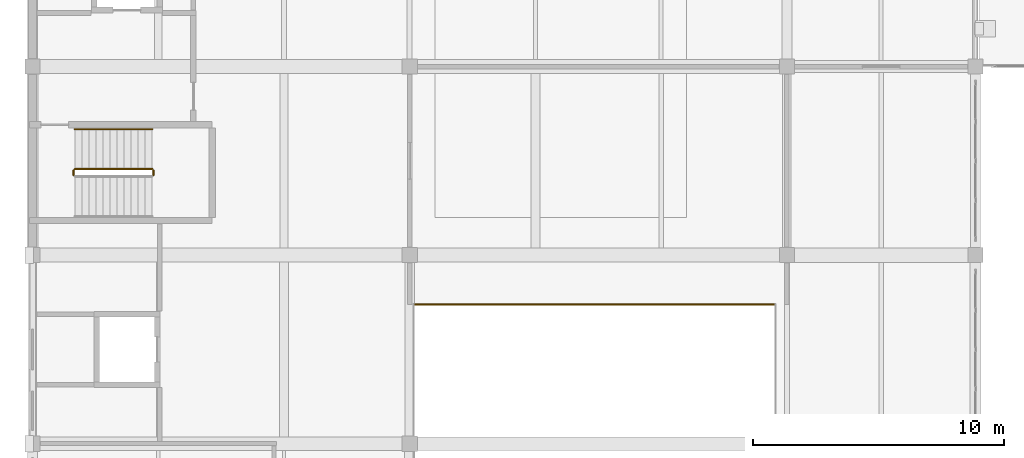
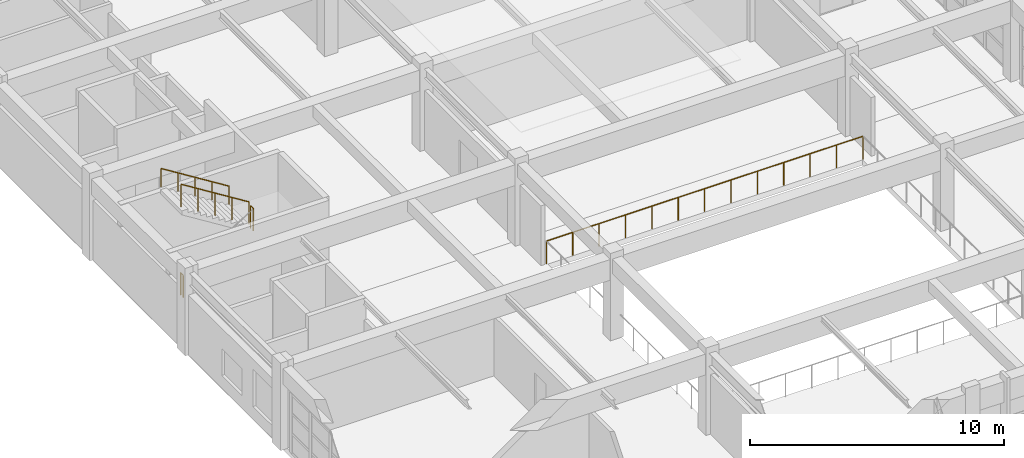
# One storey, part 109 of 124: 5 railings.
"""IFC4 building model written with IfcOpenShell, lengths in metres."""

from ifc_helpers import new_model, si_unit, direction, frame, origin, origin_2d, place, context, subcontext, project, spatial, circle, extrude, material, layer, layer_set, type_object, element, save


model = new_model("IFC4")

# Units and contexts
model_context = context("Model", 3, precision=1e-05, world=origin(), true_north=direction((0.0, 1.0)))
body_context = subcontext(model_context, "Body", "Model", "MODEL_VIEW")
ifc_project = project(units=[si_unit("LENGTHUNIT", "METRE"), si_unit("AREAUNIT", "SQUARE_METRE"), si_unit("VOLUMEUNIT", "CUBIC_METRE"), si_unit("PLANEANGLEUNIT", "RADIAN"), si_unit("MASSUNIT", "GRAM", prefix="KILO")], contexts=[model_context])

# Site, building, storey
site_placement = place(None, origin())
site = spatial("IfcSite", under=ifc_project, at=site_placement, CompositionType="ELEMENT")
building_placement = place(site_placement, origin())
building = spatial("IfcBuilding", under=site, at=building_placement, Name="Qasida Concert Hall", CompositionType="ELEMENT")
storey_placement = place(building_placement, frame((0.0, 0.0, 9.0)))
storey = spatial("IfcBuildingStorey", under=building, at=storey_placement, Name="L02", CompositionType="ELEMENT", Elevation=9.0)

# Railings
ifc_material_1 = material(Name="Carved Lebanese limestone and bronze top rail", Category="masonry")
ifc_layer_1 = layer(ifc_material_1, 0.10009765625, Name="Carved Lebanese limestone and bronze top rail")
ifc_layer_set_1 = layer_set([ifc_layer_1], Name="Carved Lebanese limestone and bronze top rail")
railing_type_1 = type_object("IfcRailingType", Name="RL-BAL-1100", PredefinedType="BALUSTRADE", material=ifc_layer_set_1)
railing_1_placement = place(storey_placement, frame((29.5400390625, 20.5400390625, 0.0)))
element("IfcRailing", 1, at=railing_1_placement, inside=storey, type_object=railing_type_1, Name="L02 Grand foyer atrium balustrade 0048", PredefinedType="BALUSTRADE", context=body_context, shape_type="SweptSolid", body=[
    extrude(circle(Radius=0.02392578125, at=origin_2d()), frame((0.0, 0.0, 1.09619140625), z_axis=(-1.0, 0.0, 0.0), x_axis=(0.0, -1.0, 0.0)), (0.0, 0.0, 1.0), 14.380126953125),
    extrude(circle(Radius=0.02099609375, at=origin_2d()), origin(), (0.0, 0.0, 1.0), 1.072021484375),
    extrude(circle(Radius=0.02099609375, at=origin_2d()), frame((-1.1982421875, 0.0, 0.0)), (0.0, 0.0, 1.0), 1.072021484375),
    extrude(circle(Radius=0.02099609375, at=origin_2d()), frame((-2.396728515625, 0.0, 0.0)), (0.0, 0.0, 1.0), 1.072021484375),
    extrude(circle(Radius=0.02099609375, at=origin_2d()), frame((-3.594970703125, 0.0, 0.0)), (0.0, 0.0, 1.0), 1.072021484375),
    extrude(circle(Radius=0.02099609375, at=origin_2d()), frame((-4.79345703125, 0.0, 0.0)), (0.0, 0.0, 1.0), 1.072021484375),
    extrude(circle(Radius=0.02099609375, at=origin_2d()), frame((-5.99169921875, 0.0, 0.0)), (0.0, 0.0, 1.0), 1.072021484375),
    extrude(circle(Radius=0.02099609375, at=origin_2d()), frame((-7.18994140625, 0.0, 0.0)), (0.0, 0.0, 1.0), 1.072021484375),
    extrude(circle(Radius=0.02099609375, at=origin_2d()), frame((-8.388427734375, 0.0, 0.0)), (0.0, 0.0, 1.0), 1.072021484375),
    extrude(circle(Radius=0.02099609375, at=origin_2d()), frame((-9.586669921875, 0.0, 0.0)), (0.0, 0.0, 1.0), 1.072021484375),
    extrude(circle(Radius=0.02099609375, at=origin_2d()), frame((-10.78515625, 0.0, 0.0)), (0.0, 0.0, 1.0), 1.072021484375),
    extrude(circle(Radius=0.02099609375, at=origin_2d()), frame((-11.9833984375, 0.0, 0.0)), (0.0, 0.0, 1.0), 1.072021484375),
    extrude(circle(Radius=0.02099609375, at=origin_2d()), frame((-13.181884765625, 0.0, 0.0)), (0.0, 0.0, 1.0), 1.072021484375),
    extrude(circle(Radius=0.02099609375, at=origin_2d()), frame((-14.380126953125, 0.0, 0.0)), (0.0, 0.0, 1.0), 1.072021484375),
])
ifc_material_2 = material(Name="Patinated architectural bronze and laminated glass infill", Category="glass")
ifc_layer_2 = layer(ifc_material_2, 0.080078125, Name="Patinated architectural bronze and laminated glass infill")
ifc_layer_set_2 = layer_set([ifc_layer_2], Name="Patinated architectural bronze and laminated glass infill")
railing_type_2 = type_object("IfcRailingType", Name="RL-GRD-1100", PredefinedType="GUARDRAIL", material=ifc_layer_set_2)
railing_2_placement = place(storey_placement, frame((4.81005859375, 25.679931640625, 2.10009765625)))
element("IfcRailing", 2, at=railing_2_placement, inside=storey, type_object=railing_type_2, Name="L02 ST-03 stair guard 2", PredefinedType="GUARDRAIL", context=body_context, shape_type="SweptSolid", body=[
    extrude(circle(Radius=0.02392578125, at=origin_2d()), frame((0.0, 0.0, 1.076171875), z_axis=(0.0, 1.0, 0.0), x_axis=(-1.0, 0.0, 0.0)), (0.0, 0.0, 1.0), 0.199951171875),
    extrude(circle(Radius=0.02099609375, at=origin_2d()), origin(), (0.0, 0.0, 1.0), 1.052001953125),
    extrude(circle(Radius=0.02099609375, at=origin_2d()), frame((0.0, 0.199951171875, 0.0)), (0.0, 0.0, 1.0), 1.052001953125),
])
railing_3_placement = place(storey_placement, frame((4.760009765625, 25.929931640625, 2.27490234375)))
element("IfcRailing", 3, at=railing_3_placement, inside=storey, type_object=railing_type_2, Name="L02 ST-03 stair guard 3", PredefinedType="GUARDRAIL", context=body_context, shape_type="SweptSolid", body=[
    extrude(circle(Radius=0.02392578125, at=origin_2d()), frame((0.0, 0.0, 1.076171875), z_axis=(-0.847998304005, 0.0, 0.529998940003), x_axis=(0.0, -1.0, 0.0)), (0.0, 0.0, 1.0), 3.632080078125),
    extrude(circle(Radius=0.02099609375, at=origin_2d()), origin(), (0.0, 0.0, 1.0), 1.052001953125),
    extrude(circle(Radius=0.02099609375, at=origin_2d()), frame((-0.77001953125, 0.0, 0.481201171875)), (0.0, 0.0, 1.0), 1.052001953125),
    extrude(circle(Radius=0.02099609375, at=origin_2d()), frame((-1.5400390625, 0.0, 0.96240234375)), (0.0, 0.0, 1.0), 1.052001953125),
    extrude(circle(Radius=0.02099609375, at=origin_2d()), frame((-2.31005859375, 0.0, 1.44384765625)), (0.0, 0.0, 1.0), 1.052001953125),
    extrude(circle(Radius=0.02099609375, at=origin_2d()), frame((-3.080078125, 0.0, 1.925048828125)), (0.0, 0.0, 1.0), 1.052001953125),
])
railing_4_placement = place(storey_placement, frame((1.6298828125, 25.679931640625, 0.0)))
element("IfcRailing", 4, at=railing_4_placement, inside=storey, type_object=railing_type_2, Name="L02 ST-03 stair guard 4", PredefinedType="GUARDRAIL", context=body_context, shape_type="SweptSolid", body=[
    extrude(circle(Radius=0.02392578125, at=origin_2d()), frame((0.0, 0.0, 1.076171875), z_axis=(0.0, 1.0, 0.0), x_axis=(-1.0, 0.0, 0.0)), (0.0, 0.0, 1.0), 0.199951171875),
    extrude(circle(Radius=0.02099609375, at=origin_2d()), origin(), (0.0, 0.0, 1.0), 1.052001953125),
    extrude(circle(Radius=0.02099609375, at=origin_2d()), frame((0.0, 0.199951171875, 0.0)), (0.0, 0.0, 1.0), 1.052001953125),
])
ifc_material_3 = material(Name="Patinated tubular architectural bronze", Category="steel")
ifc_layer_3 = layer(ifc_material_3, 0.050048828125, Name="Patinated tubular architectural bronze")
ifc_layer_set_3 = layer_set([ifc_layer_3], Name="Patinated tubular architectural bronze")
railing_type_3 = type_object("IfcRailingType", Name="RL-HND-900", PredefinedType="HANDRAIL", material=ifc_layer_set_3)
railing_5_placement = place(storey_placement, frame((4.760009765625, 27.510009765625, 2.27490234375)))
element("IfcRailing", 5, at=railing_5_placement, inside=storey, type_object=railing_type_3, Name="L02 ST-03 stair handrail 2", PredefinedType="HANDRAIL", context=body_context, shape_type="SweptSolid", body=[
    extrude(circle(Radius=0.02392578125, at=origin_2d()), frame((0.0, 0.0, 0.8759765625), z_axis=(-0.847998304005, 0.0, 0.529998940003), x_axis=(0.0, -1.0, 0.0)), (0.0, 0.0, 1.0), 3.632080078125),
    extrude(circle(Radius=0.02099609375, at=origin_2d()), origin(), (0.0, 0.0, 1.0), 0.851806640625),
    extrude(circle(Radius=0.02099609375, at=origin_2d()), frame((-0.77001953125, 0.0, 0.481201171875)), (0.0, 0.0, 1.0), 0.851806640625),
    extrude(circle(Radius=0.02099609375, at=origin_2d()), frame((-1.5400390625, 0.0, 0.96240234375)), (0.0, 0.0, 1.0), 0.851806640625),
    extrude(circle(Radius=0.02099609375, at=origin_2d()), frame((-2.31005859375, 0.0, 1.44384765625)), (0.0, 0.0, 1.0), 0.851806640625),
    extrude(circle(Radius=0.02099609375, at=origin_2d()), frame((-3.080078125, 0.0, 1.925048828125)), (0.0, 0.0, 1.0), 0.851806640625),
])

save(model, "model.ifc")
